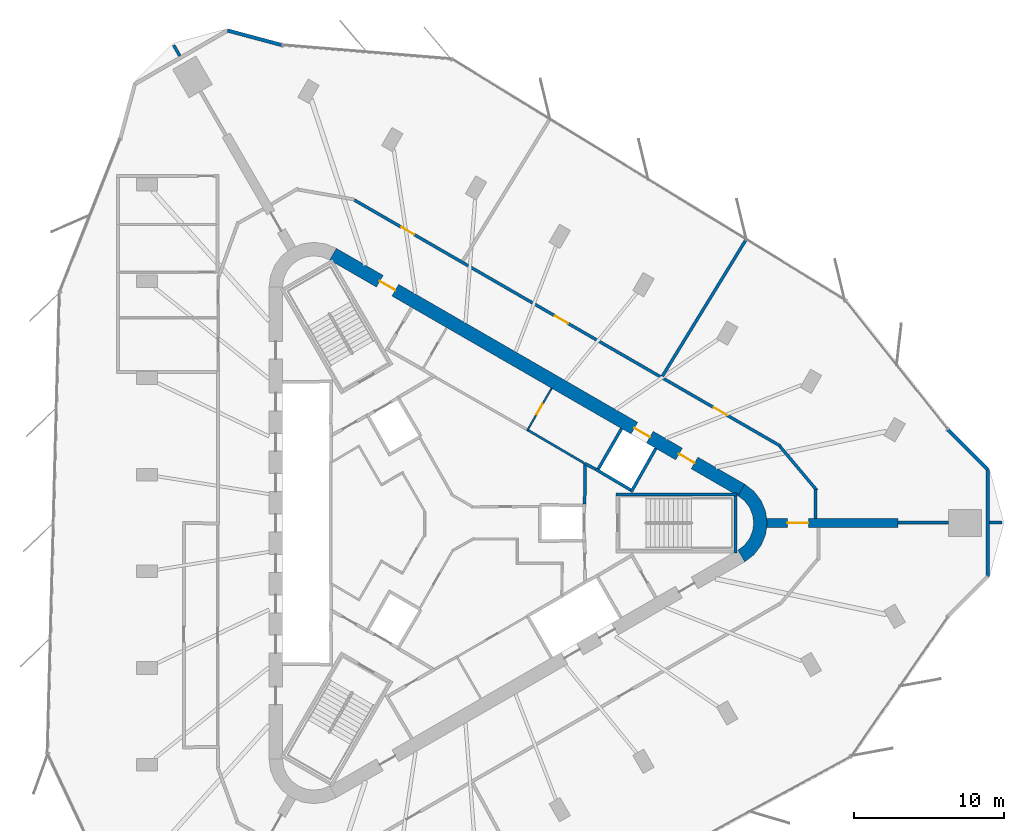
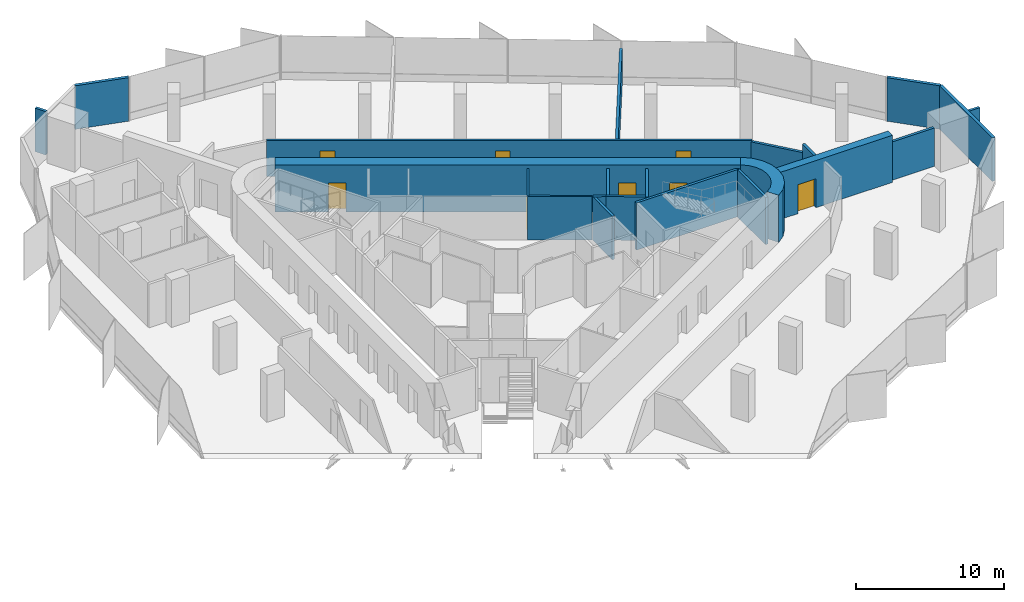
# One storey, part 11 of 13: 22 walls, 8 doors, 8 openings.
"""IFC4 building model written with IfcOpenShell, lengths in metres."""

from ifc_helpers import new_model, si_unit, direction, frame, frame_2d, origin, place, context, subcontext, project, spatial, polyline, rectangle, outline, extrude, material, layer, layer_set, type_object, element, fill, save


model = new_model("IFC4")

# Units and contexts
model_context = context("Model", 3, precision=1e-05, world=origin(), true_north=direction((0.0, 1.0)))
body_context = subcontext(model_context, "Body", "Model", "MODEL_VIEW")
ifc_project = project(units=[si_unit("LENGTHUNIT", "METRE"), si_unit("AREAUNIT", "SQUARE_METRE"), si_unit("VOLUMEUNIT", "CUBIC_METRE"), si_unit("PLANEANGLEUNIT", "RADIAN"), si_unit("MASSUNIT", "GRAM", prefix="KILO")], contexts=[model_context])

# Site, building, storey
site_placement = place(None, origin())
site = spatial("IfcSite", under=ifc_project, at=site_placement, CompositionType="ELEMENT")
building_placement = place(site_placement, origin())
building = spatial("IfcBuilding", under=site, at=building_placement, Name="Tanit Gate Tower", CompositionType="ELEMENT")
storey_placement = place(building_placement, frame((0.0, 0.0, 329.89990234375)))
storey = spatial("IfcBuildingStorey", under=building, at=storey_placement, Name="L74", CompositionType="ELEMENT", Elevation=329.89990234375)

# Wall, opening, door
ifc_material_1 = material(Name="Concrete C40/50", Category="concrete")
ifc_layer_1 = layer(ifc_material_1, 0.60009765625)
ifc_layer_set_1 = layer_set([ifc_layer_1], Name="BUTTRESS FIN 600 C40/50")
wall_type_1 = type_object("IfcWallType", Name="BUTTRESS FIN 600 C40/50", PredefinedType="SHEAR", material=ifc_layer_set_1)
wall_1_placement = place(storey_placement, frame((21.14990234375, 0.0, 0.0), z_axis=(0.0, 0.0, 1.0), x_axis=(1.0, 0.0, 0.0)))
wall_1 = element("IfcWall", 1, at=wall_1_placement, inside=storey, type_object=wall_type_1, Name="BUTTRESS FIN", PredefinedType="SHEAR", context=body_context, shape_type="SweptSolid", body=[
    extrude(rectangle(XDim=8.787353515625, YDim=0.60009765625, at=frame_2d((4.3935546875, 0.0))), origin(), (0.0, 0.0, 1.0), 3.900146484375),
])
opening_1_placement = place(wall_1_placement, frame((1.39990234375, 0.0, 0.0)))
opening_1 = element("IfcOpeningElement", 2, at=opening_1_placement, cuts=wall_1, Name="Opening P14-S20-F-E-1", PredefinedType="OPENING", context=body_context, shape_type="SweptSolid", body=[
    extrude(rectangle(XDim=1.39990234375, YDim=2.39990234375, at=frame_2d((0.699951171875, 1.199951171875))), frame((0.0, 0.31005859375, 0.0), z_axis=(0.0, -1.0, 0.0), x_axis=(1.0, 0.0, 0.0)), (0.0, 0.0, 1.0), 0.6201171875),
])
ifc_material_2 = material(Name="Timber door leaf", Category="wood")
door_type_1 = type_object("IfcDoorType", Name="INT-DOOR-FIN-PAIR-1400", OperationType="NOTDEFINED", PredefinedType="NOTDEFINED", material=ifc_material_2)
door_1_placement = place(opening_1_placement, origin())
door_1 = element("IfcDoor", 3, at=door_1_placement, inside=storey, type_object=door_type_1, Name="Door P14-S20-F-E-1", OperationType="DOUBLE_DOOR_SINGLE_SWING", OverallHeight=2.39990234375, OverallWidth=1.39990234375, PredefinedType="NOTDEFINED", context=body_context, shape_type="SweptSolid", body=[
    extrude(rectangle(XDim=1.39990234375, YDim=2.39990234375, at=frame_2d((0.699951171875, 1.199951171875))), frame((0.0, 0.02490234375, 0.0), z_axis=(0.0, -1.0, 0.0), x_axis=(1.0, 0.0, 0.0)), (0.0, 0.0, 1.0), 0.050048828125),
])
fill(opening_1, door_1)

# Wall, openings, doors
ifc_material_3 = material(Name="Concrete C40/50", Category="concrete")
ifc_layer_2 = layer(ifc_material_3, 0.89990234375)
ifc_layer_set_2 = layer_set([ifc_layer_2], Name="CORE WALL 900 C40/50")
wall_type_2 = type_object("IfcWallType", Name="CORE WALL 900 C40/50", PredefinedType="SHEAR", material=ifc_layer_set_2)
wall_2_placement = place(storey_placement, frame((19.47509765625, 2.20849609375, 0.0), z_axis=(0.0, 0.0, 1.0), x_axis=(-0.866028369851, 0.499994862586, 0.0)))
wall_2 = element("IfcWall", 4, at=wall_2_placement, inside=storey, type_object=wall_type_2, Name="CORE WALL", PredefinedType="SHEAR", context=body_context, shape_type="SweptSolid", body=[
    extrude(rectangle(XDim=31.523193359375, YDim=0.89990234375, at=frame_2d((15.76171875, 0.0))), origin(), (0.0, 0.0, 1.0), 3.900146484375),
])
opening_2_placement = place(wall_2_placement, frame((7.0615234375, 0.0, 0.0)))
opening_2 = element("IfcOpeningElement", 5, at=opening_2_placement, cuts=wall_2, Name="Opening LDHL8-S20", PredefinedType="OPENING", context=body_context, shape_type="SweptSolid", body=[
    extrude(rectangle(XDim=1.199951171875, YDim=2.39990234375, at=frame_2d((0.60009765625, 1.199951171875))), frame((0.0, 0.4599609375, 0.0), z_axis=(0.0, -1.0, 0.0), x_axis=(1.0, 0.0, 0.0)), (0.0, 0.0, 1.0), 0.919921875),
])
opening_3_placement = place(wall_2_placement, frame((3.611572265625, 0.0, 0.0)))
opening_3 = element("IfcOpeningElement", 6, at=opening_3_placement, cuts=wall_2, Name="Opening F12-S20-FL1", PredefinedType="OPENING", context=body_context, shape_type="SweptSolid", body=[
    extrude(rectangle(XDim=1.199951171875, YDim=2.39990234375, at=frame_2d((0.60009765625, 1.199951171875))), frame((0.0, 0.4599609375, 0.0), z_axis=(0.0, -1.0, 0.0), x_axis=(1.0, 0.0, 0.0)), (0.0, 0.0, 1.0), 0.919921875),
])
opening_4_placement = place(wall_2_placement, frame((26.711669921875, 0.0, 0.0)))
opening_4 = element("IfcOpeningElement", 7, at=opening_4_placement, cuts=wall_2, Name="Opening F12-S20-S2", PredefinedType="OPENING", context=body_context, shape_type="SweptSolid", body=[
    extrude(rectangle(XDim=1.199951171875, YDim=2.39990234375, at=frame_2d((0.60009765625, 1.199951171875))), frame((0.0, 0.4599609375, 0.0), z_axis=(0.0, -1.0, 0.0), x_axis=(1.0, 0.0, 0.0)), (0.0, 0.0, 1.0), 0.919921875),
])
ifc_material_4 = material(Name="Fire-rated steel door leaf", Category="steel")
door_type_2 = type_object("IfcDoorType", Name="INT-DOOR-FIRE-LOBBY-1200", OperationType="NOTDEFINED", PredefinedType="USERDEFINED", material=ifc_material_4)
door_2_placement = place(opening_3_placement, origin())
door_2 = element("IfcDoor", 8, at=door_2_placement, inside=storey, type_object=door_type_2, Name="Door F12-S20-FL1", ObjectType="FIRE DOOR", OperationType="SINGLE_SWING_RIGHT", OverallHeight=2.39990234375, OverallWidth=1.199951171875, PredefinedType="USERDEFINED", context=body_context, shape_type="SweptSolid", body=[
    extrude(rectangle(XDim=1.199951171875, YDim=2.39990234375, at=frame_2d((0.60009765625, 1.199951171875))), frame((0.0, 0.02490234375, 0.0), z_axis=(0.0, -1.0, 0.0), x_axis=(1.0, 0.0, 0.0)), (0.0, 0.0, 1.0), 0.050048828125),
])
fill(opening_3, door_2)
door_3_placement = place(opening_4_placement, origin())
door_3 = element("IfcDoor", 9, at=door_3_placement, inside=storey, type_object=door_type_2, Name="Door F12-S20-S2", ObjectType="FIRE DOOR", OperationType="SINGLE_SWING_RIGHT", OverallHeight=2.39990234375, OverallWidth=1.199951171875, PredefinedType="USERDEFINED", context=body_context, shape_type="SweptSolid", body=[
    extrude(rectangle(XDim=1.199951171875, YDim=2.39990234375, at=frame_2d((0.60009765625, 1.199951171875))), frame((0.0, 0.02490234375, 0.0), z_axis=(0.0, -1.0, 0.0), x_axis=(1.0, 0.0, 0.0)), (0.0, 0.0, 1.0), 0.050048828125),
])
fill(opening_4, door_3)
ifc_material_5 = material(Name="Stainless steel sliding door leaf", Category="steel")
door_type_3 = type_object("IfcDoorType", Name="INT-DOOR-LANDING-1200", OperationType="NOTDEFINED", PredefinedType="USERDEFINED", material=ifc_material_5)
door_4_placement = place(opening_2_placement, origin())
door_4 = element("IfcDoor", 10, at=door_4_placement, inside=storey, type_object=door_type_3, Name="Door LDHL8-S20", ObjectType="LANDING DOOR", OperationType="SLIDING_TO_LEFT", OverallHeight=2.39990234375, OverallWidth=1.199951171875, PredefinedType="USERDEFINED", context=body_context, shape_type="SweptSolid", body=[
    extrude(rectangle(XDim=1.199951171875, YDim=2.39990234375, at=frame_2d((0.60009765625, 1.199951171875))), frame((0.0, 0.02490234375, 0.0), z_axis=(0.0, -1.0, 0.0), x_axis=(1.0, 0.0, 0.0)), (0.0, 0.0, 1.0), 0.050048828125),
])
fill(opening_2, door_4)

# Walls
wall_3_placement = place(storey_placement, origin())
element("IfcWall", 11, at=wall_3_placement, inside=storey, type_object=wall_type_2, Name="CORE WALL CORNER", PredefinedType="SHEAR", context=body_context, shape_type="SweptSolid", body=[
    extrude(outline(polyline([(19.699951171875, -2.59814453125), (20.3212890625, -2.121337890625), (20.798095703125, -1.5), (21.097900390625, -0.776611328125), (21.199951171875, 0.0), (21.097900390625, 0.776611328125), (20.798095703125, 1.5), (20.3212890625, 2.121337890625), (19.699951171875, 2.59814453125), (19.25, 1.818603515625), (19.684814453125, 1.48486328125), (20.018798828125, 1.050048828125), (20.228515625, 0.54345703125), (20.300048828125, 0.0), (20.228515625, -0.54345703125), (20.018798828125, -1.050048828125), (19.684814453125, -1.48486328125), (19.25, -1.818603515625), (19.699951171875, -2.59814453125)])), origin(), (0.0, 0.0, 1.0), 3.900146484375),
])
ifc_material_6 = material(Name="Concrete C30/37 with bronze anodised aluminium cladding", Category="concrete")
ifc_layer_3 = layer(ifc_material_6, 0.239990234375)
ifc_layer_set_3 = layer_set([ifc_layer_3], Name="Facade wall bronze clad 240")
wall_type_3 = type_object("IfcWallType", Name="Facade wall bronze clad 240", PredefinedType="SOLIDWALL", material=ifc_layer_set_3)
wall_4_placement = place(storey_placement, frame((-11.245849609375, 31.95458984375, 0.0), z_axis=(0.0, 0.0, 1.0), x_axis=(-0.965926566302, 0.258816283321, 0.0)))
element("IfcWall", 12, at=wall_4_placement, inside=storey, type_object=wall_type_3, Name="Bronze-clad facade wall L74 NW.arc1", PredefinedType="SOLIDWALL", context=body_context, shape_type="SweptSolid", body=[
    extrude(rectangle(XDim=3.75341796875, YDim=0.239990234375, at=frame_2d((1.876708984375, 0.0))), origin(), (0.0, 0.0, 1.0), 3.60009765625),
])
wall_5_placement = place(storey_placement, frame((35.950439453125, -3.583984375, 0.0), z_axis=(0.0, 0.0, 1.0), x_axis=(0.0, 1.0, 0.0)))
element("IfcWall", 13, at=wall_5_placement, inside=storey, type_object=wall_type_3, Name="Bronze-clad facade wall L74 E.arc2", PredefinedType="SOLIDWALL", context=body_context, shape_type="SweptSolid", body=[
    extrude(rectangle(XDim=7.16796875, YDim=0.239990234375, at=frame_2d((3.583984375, 0.0))), origin(), (0.0, 0.0, 1.0), 3.60009765625),
])
wall_6_placement = place(storey_placement, frame((35.950439453125, 3.583984375, 0.0), z_axis=(0.0, 0.0, 1.0), x_axis=(-0.707074223377, 0.707139337497, 0.0)))
element("IfcWall", 14, at=wall_6_placement, inside=storey, type_object=wall_type_3, Name="Bronze-clad facade wall L74 E.arc3", PredefinedType="SOLIDWALL", context=body_context, shape_type="SweptSolid", body=[
    extrude(rectangle(XDim=3.74951171875, YDim=0.239990234375, at=frame_2d((1.874755859375, 0.0))), origin(), (0.0, 0.0, 1.0), 3.60009765625),
])
ifc_material_7 = material(Name="Fire-rated gypsum board partition")
ifc_layer_4 = layer(ifc_material_7, 0.199951171875)
ifc_layer_set_4 = layer_set([ifc_layer_4], Name="INT-WALL-COMPARTMENT")
wall_type_4 = type_object("IfcWallType", Name="INT-WALL-COMPARTMENT", PredefinedType="PARTITIONING", material=ifc_layer_set_4)
wall_7_placement = place(storey_placement, frame((8.97412109375, 3.998779296875, 0.0), z_axis=(0.0, 0.0, 1.0), x_axis=(0.880917147855, -0.473270513147, 0.0)))
element("IfcWall", 15, at=wall_7_placement, inside=storey, type_object=wall_type_4, Name="Wall Compartment W045", PredefinedType="PARTITIONING", context=body_context, shape_type="SweptSolid", body=[
    extrude(rectangle(XDim=0.8779296875, YDim=0.199951171875, at=frame_2d((0.43896484375, 0.0))), origin(), (0.0, 0.0, 1.0), 3.60009765625),
])
wall_8_placement = place(storey_placement, frame((9.0009765625, 1.27001953125, 0.0), z_axis=(0.0, 0.0, 1.0), x_axis=(0.01074821465, 0.999942236273, 0.0)))
element("IfcWall", 16, at=wall_8_placement, inside=storey, type_object=wall_type_4, Name="Wall Compartment W059", PredefinedType="PARTITIONING", context=body_context, shape_type="SweptSolid", body=[
    extrude(rectangle(XDim=2.725830078125, YDim=0.199951171875, at=frame_2d((1.36279296875, 0.0))), origin(), (0.0, 0.0, 1.0), 3.60009765625),
])

# Wall, openings, doors
wall_9_placement = place(storey_placement, frame((22.074462890625, 5.153076171875, 0.0), z_axis=(0.0, 0.0, 1.0), x_axis=(-0.866023485483, 0.500003322581, 0.0)))
wall_9 = element("IfcWall", 17, at=wall_9_placement, inside=storey, type_object=wall_type_4, Name="Wall Compartment W099", PredefinedType="PARTITIONING", context=body_context, shape_type="SweptSolid", body=[
    extrude(rectangle(XDim=32.881103515625, YDim=0.199951171875, at=frame_2d((16.4404296875, 0.0))), origin(), (0.0, 0.0, 1.0), 2.97021484375),
])
opening_5_placement = place(wall_9_placement, frame((28.2490234375, 0.0, 0.0)))
opening_5 = element("IfcOpeningElement", 18, at=opening_5_placement, cuts=wall_9, Name="Opening F10-S20-24", PredefinedType="OPENING", context=body_context, shape_type="SweptSolid", body=[
    extrude(rectangle(XDim=1.0, YDim=2.10009765625, at=frame_2d((0.5, 1.050048828125))), frame((0.0, 0.10986328125, 0.0), z_axis=(0.0, -1.0, 0.0), x_axis=(1.0, 0.0, 0.0)), (0.0, 0.0, 1.0), 0.219970703125),
])
opening_6_placement = place(wall_9_placement, frame((16.386962890625, 0.0, 0.0)))
opening_6 = element("IfcOpeningElement", 19, at=opening_6_placement, cuts=wall_9, Name="Opening F10-S20-25", PredefinedType="OPENING", context=body_context, shape_type="SweptSolid", body=[
    extrude(rectangle(XDim=1.0, YDim=2.10009765625, at=frame_2d((0.5, 1.050048828125))), frame((0.0, 0.10986328125, 0.0), z_axis=(0.0, -1.0, 0.0), x_axis=(1.0, 0.0, 0.0)), (0.0, 0.0, 1.0), 0.219970703125),
])
opening_7_placement = place(wall_9_placement, frame((4.12841796875, 0.0, 0.0)))
opening_7 = element("IfcOpeningElement", 20, at=opening_7_placement, cuts=wall_9, Name="Opening F10-S20-26", PredefinedType="OPENING", context=body_context, shape_type="SweptSolid", body=[
    extrude(rectangle(XDim=1.0, YDim=2.10009765625, at=frame_2d((0.5, 1.050048828125))), frame((0.0, 0.10986328125, 0.0), z_axis=(0.0, -1.0, 0.0), x_axis=(1.0, 0.0, 0.0)), (0.0, 0.0, 1.0), 0.219970703125),
])
ifc_material_8 = material(Name="Fire-rated steel door leaf", Category="steel")
door_type_4 = type_object("IfcDoorType", Name="INT-DOOR-FIRE-1000", OperationType="NOTDEFINED", PredefinedType="USERDEFINED", material=ifc_material_8)
door_5_placement = place(opening_5_placement, origin())
door_5 = element("IfcDoor", 21, at=door_5_placement, inside=storey, type_object=door_type_4, Name="Door F10-S20-24", ObjectType="FIRE DOOR", OperationType="SINGLE_SWING_LEFT", OverallHeight=2.10009765625, OverallWidth=1.0, PredefinedType="USERDEFINED", context=body_context, shape_type="SweptSolid", body=[
    extrude(rectangle(XDim=1.0, YDim=2.10009765625, at=frame_2d((0.5, 1.050048828125))), frame((0.0, 0.02490234375, 0.0), z_axis=(0.0, -1.0, 0.0), x_axis=(1.0, 0.0, 0.0)), (0.0, 0.0, 1.0), 0.050048828125),
])
fill(opening_5, door_5)
door_6_placement = place(opening_6_placement, origin())
door_6 = element("IfcDoor", 22, at=door_6_placement, inside=storey, type_object=door_type_4, Name="Door F10-S20-25", ObjectType="FIRE DOOR", OperationType="SINGLE_SWING_LEFT", OverallHeight=2.10009765625, OverallWidth=1.0, PredefinedType="USERDEFINED", context=body_context, shape_type="SweptSolid", body=[
    extrude(rectangle(XDim=1.0, YDim=2.10009765625, at=frame_2d((0.5, 1.050048828125))), frame((0.0, 0.02490234375, 0.0), z_axis=(0.0, -1.0, 0.0), x_axis=(1.0, 0.0, 0.0)), (0.0, 0.0, 1.0), 0.050048828125),
])
fill(opening_6, door_6)
door_7_placement = place(opening_7_placement, origin())
door_7 = element("IfcDoor", 23, at=door_7_placement, inside=storey, type_object=door_type_4, Name="Door F10-S20-26", ObjectType="FIRE DOOR", OperationType="SINGLE_SWING_RIGHT", OverallHeight=2.10009765625, OverallWidth=1.0, PredefinedType="USERDEFINED", context=body_context, shape_type="SweptSolid", body=[
    extrude(rectangle(XDim=1.0, YDim=2.10009765625, at=frame_2d((0.5, 1.050048828125))), frame((0.0, 0.02490234375, 0.0), z_axis=(0.0, -1.0, 0.0), x_axis=(1.0, 0.0, 0.0)), (0.0, 0.0, 1.0), 0.050048828125),
])
fill(opening_7, door_7)

# Walls
wall_10_placement = place(storey_placement, frame((24.520751953125, 2.1845703125, 0.0), z_axis=(0.0, 0.0, 1.0), x_axis=(-0.642781993054, 0.766049155998, 0.0)))
element("IfcWall", 24, at=wall_10_placement, inside=storey, type_object=wall_type_4, Name="Wall Compartment W100", PredefinedType="PARTITIONING", context=body_context, shape_type="SweptSolid", body=[
    extrude(rectangle(XDim=3.84033203125, YDim=0.199951171875, at=frame_2d((1.920166015625, 0.0))), origin(), (0.0, 0.0, 1.0), 2.880126953125),
])
wall_11_placement = place(storey_placement, frame((24.420166015625, 0.300048828125, 0.0), z_axis=(0.0, 0.0, 1.0), x_axis=(0.013193472226, 0.999912962358, 0.0)))
element("IfcWall", 25, at=wall_11_placement, inside=storey, type_object=wall_type_4, Name="Wall Compartment W101", PredefinedType="PARTITIONING", context=body_context, shape_type="SweptSolid", body=[
    extrude(rectangle(XDim=1.924560546875, YDim=0.199951171875, at=frame_2d((0.96240234375, 0.0))), origin(), (0.0, 0.0, 1.0), 3.60009765625),
])
wall_12_placement = place(storey_placement, frame((-18.061279296875, 31.222900390625, 0.0), z_axis=(0.0, 0.0, 1.0), x_axis=(-0.499798627271, 0.866141635172, 0.0)))
element("IfcWall", 26, at=wall_12_placement, inside=storey, type_object=wall_type_4, Name="Wall Compartment W108", PredefinedType="PARTITIONING", context=body_context, shape_type="SweptSolid", body=[
    extrude(rectangle(XDim=0.832275390625, YDim=0.199951171875, at=frame_2d((0.416015625, 0.0))), origin(), (0.0, 0.0, 1.0), 3.60009765625),
])
wall_13_placement = place(storey_placement, frame((19.794677734375, 18.95458984375, 0.0), z_axis=(0.0, 0.0, 1.0), x_axis=(-0.522384145162, -0.852710270187, 0.0)))
element("IfcWall", 27, at=wall_13_placement, inside=storey, type_object=wall_type_4, Name="Wall Compartment W121", PredefinedType="PARTITIONING", context=body_context, shape_type="SweptSolid", body=[
    extrude(rectangle(XDim=10.716064453125, YDim=0.199951171875, at=frame_2d((5.35791015625, 0.0))), origin(), (0.0, 0.0, 1.0), 2.97021484375),
])
wall_14_placement = place(storey_placement, frame((33.3349609375, 0.030029296875, 0.0), z_axis=(0.0, 0.0, 1.0), x_axis=(-0.999994052186, -0.003448998671, 0.0)))
element("IfcWall", 28, at=wall_14_placement, inside=storey, type_object=wall_type_4, Name="Wall Compartment W122", PredefinedType="PARTITIONING", context=body_context, shape_type="SweptSolid", body=[
    extrude(rectangle(XDim=3.397705078125, YDim=0.199951171875, at=frame_2d((1.69873046875, 0.0))), origin(), (0.0, 0.0, 1.0), 3.170166015625),
])
wall_15_placement = place(storey_placement, frame((36.90283203125, 0.030029296875, 0.0), z_axis=(0.0, 0.0, 1.0), x_axis=(-1.0, 0.0, 0.0)))
element("IfcWall", 29, at=wall_15_placement, inside=storey, type_object=wall_type_4, Name="Wall Compartment W123", PredefinedType="PARTITIONING", context=body_context, shape_type="SweptSolid", body=[
    extrude(rectangle(XDim=0.832275390625, YDim=0.199951171875, at=frame_2d((0.416015625, 0.0))), origin(), (0.0, 0.0, 1.0), 3.60009765625),
])

# Wall, opening, door
ifc_material_9 = material(Name="Gypsum board partition")
ifc_layer_5 = layer(ifc_material_9, 0.1201171875)
ifc_layer_set_5 = layer_set([ifc_layer_5], Name="INT-WALL-PARTITION")
wall_type_5 = type_object("IfcWallType", Name="INT-WALL-PARTITION", PredefinedType="PARTITIONING", material=ifc_layer_set_5)
wall_16_placement = place(storey_placement, frame((5.170166015625, 6.19482421875, 0.0), z_axis=(0.0, 0.0, 1.0), x_axis=(0.499984717929, 0.866034226713, 0.0)))
wall_16 = element("IfcWall", 30, at=wall_16_placement, inside=storey, type_object=wall_type_5, Name="Wall Partition W044", PredefinedType="PARTITIONING", context=body_context, shape_type="SweptSolid", body=[
    extrude(rectangle(XDim=3.25, YDim=0.1201171875, at=frame_2d((1.625, 0.0))), origin(), (0.0, 0.0, 1.0), 3.60009765625),
])
opening_8_placement = place(wall_16_placement, frame((1.22509765625, 0.0, 0.0)))
opening_8 = element("IfcOpeningElement", 31, at=opening_8_placement, cuts=wall_16, Name="Opening R08-S20-13", PredefinedType="OPENING", context=body_context, shape_type="SweptSolid", body=[
    extrude(rectangle(XDim=0.800048828125, YDim=2.10009765625, at=frame_2d((0.39990234375, 1.050048828125))), frame((0.0, 0.070068359375, 0.0), z_axis=(0.0, -1.0, 0.0), x_axis=(1.0, 0.0, 0.0)), (0.0, 0.0, 1.0), 0.14013671875),
])
ifc_material_10 = material(Name="Timber door leaf", Category="wood")
door_type_5 = type_object("IfcDoorType", Name="INT-DOOR-RISER-800", OperationType="NOTDEFINED", PredefinedType="USERDEFINED", material=ifc_material_10)
door_8_placement = place(opening_8_placement, origin())
door_8 = element("IfcDoor", 32, at=door_8_placement, inside=storey, type_object=door_type_5, Name="Door R08-S20-13", ObjectType="FIRE DOOR", OperationType="SINGLE_SWING_LEFT", OverallHeight=2.10009765625, OverallWidth=0.800048828125, PredefinedType="USERDEFINED", context=body_context, shape_type="SweptSolid", body=[
    extrude(rectangle(XDim=0.800048828125, YDim=2.10009765625, at=frame_2d((0.39990234375, 1.050048828125))), frame((0.0, 0.02490234375, 0.0), z_axis=(0.0, -1.0, 0.0), x_axis=(1.0, 0.0, 0.0)), (0.0, 0.0, 1.0), 0.050048828125),
])
fill(opening_8, door_8)

# Walls
ifc_material_11 = material(Name="Fire-rated gypsum board partition")
ifc_layer_6 = layer(ifc_material_11, 0.14990234375)
ifc_layer_set_6 = layer_set([ifc_layer_6], Name="INT-WALL-RISER")
wall_type_6 = type_object("IfcWallType", Name="INT-WALL-RISER", PredefinedType="PLUMBINGWALL", material=ifc_layer_set_6)
wall_17_placement = place(storey_placement, frame((8.9306640625, 4.024658203125, 0.0), z_axis=(0.0, 0.0, 1.0), x_axis=(-0.862666884027, 0.505772525157, 0.0)))
element("IfcWall", 33, at=wall_17_placement, inside=storey, type_object=wall_type_6, Name="Wall Riser W046", PredefinedType="PLUMBINGWALL", context=body_context, shape_type="SweptSolid", body=[
    extrude(rectangle(XDim=4.371826171875, YDim=0.14990234375, at=frame_2d((2.18603515625, 0.0))), origin(), (0.0, 0.0, 1.0), 3.60009765625),
])
ifc_material_12 = material(Name="Gypsum shaft wall system")
ifc_layer_7 = layer(ifc_material_12, 0.199951171875)
ifc_layer_set_7 = layer_set([ifc_layer_7], Name="INT-WALL-SHAFT")
wall_type_7 = type_object("IfcWallType", Name="INT-WALL-SHAFT", PredefinedType="PLUMBINGWALL", material=ifc_layer_set_7)
wall_18_placement = place(storey_placement, frame((9.8466796875, 3.494873046875, 0.0), z_axis=(0.0, 0.0, 1.0), x_axis=(0.499984717929, 0.866034226713, 0.0)))
element("IfcWall", 34, at=wall_18_placement, inside=storey, type_object=wall_type_7, Name="Wall Shaft W012", PredefinedType="PLUMBINGWALL", context=body_context, shape_type="SweptSolid", body=[
    extrude(rectangle(XDim=3.25, YDim=0.199951171875, at=frame_2d((1.625, 0.0))), origin(), (0.0, 0.0, 1.0), 3.60009765625),
])
wall_19_placement = place(storey_placement, frame((12.10986328125, 2.07275390625, 0.0), z_axis=(0.0, 0.0, 1.0), x_axis=(0.49196600604, 0.870614408852, 0.0)))
element("IfcWall", 35, at=wall_19_placement, inside=storey, type_object=wall_type_7, Name="Wall Shaft W013", PredefinedType="PLUMBINGWALL", context=body_context, shape_type="SweptSolid", body=[
    extrude(rectangle(XDim=3.35009765625, YDim=0.199951171875, at=frame_2d((1.675048828125, 0.0))), origin(), (0.0, 0.0, 1.0), 3.60009765625),
])
wall_20_placement = place(storey_placement, frame((12.072998046875, 2.2109375, 0.0), z_axis=(0.0, 0.0, 1.0), x_axis=(-0.860414880418, 0.509594185166, 0.0)))
element("IfcWall", 36, at=wall_20_placement, inside=storey, type_object=wall_type_7, Name="Wall Shaft W014", PredefinedType="PLUMBINGWALL", context=body_context, shape_type="SweptSolid", body=[
    extrude(rectangle(XDim=2.7001953125, YDim=0.199951171875, at=frame_2d((1.35009765625, 0.0))), origin(), (0.0, 0.0, 1.0), 3.60009765625),
])
ifc_material_13 = material(Name="Concrete C40/50", Category="concrete")
ifc_layer_8 = layer(ifc_material_13, 0.199951171875)
ifc_layer_set_8 = layer_set([ifc_layer_8], Name="INT-WALL-STAIR")
wall_type_8 = type_object("IfcWallType", Name="INT-WALL-STAIR", PredefinedType="SHEAR", material=ifc_layer_set_8)
wall_21_placement = place(storey_placement, frame((19.199951171875, 1.89990234375, -0.2998046875), z_axis=(0.0, 0.0, 1.0), x_axis=(-1.0, 0.0, 0.0)))
element("IfcWall", 37, at=wall_21_placement, inside=storey, type_object=wall_type_8, Name="Wall Stair W020", PredefinedType="SHEAR", context=body_context, shape_type="SweptSolid", body=[
    extrude(rectangle(XDim=8.099853515625, YDim=0.199951171875, at=frame_2d((4.0498046875, 0.0))), origin(), (0.0, 0.0, 1.0), 3.89990234375),
])
wall_22_placement = place(storey_placement, frame((19.10009765625, -2.0, -0.2998046875), z_axis=(0.0, 0.0, 1.0), x_axis=(0.0, 1.0, 0.0)))
element("IfcWall", 38, at=wall_22_placement, inside=storey, type_object=wall_type_8, Name="Wall Stair W021", PredefinedType="SHEAR", context=body_context, shape_type="SweptSolid", body=[
    extrude(rectangle(XDim=3.800048828125, YDim=0.199951171875, at=frame_2d((1.89990234375, 0.0))), origin(), (0.0, 0.0, 1.0), 3.89990234375),
])

save(model, "model.ifc")
